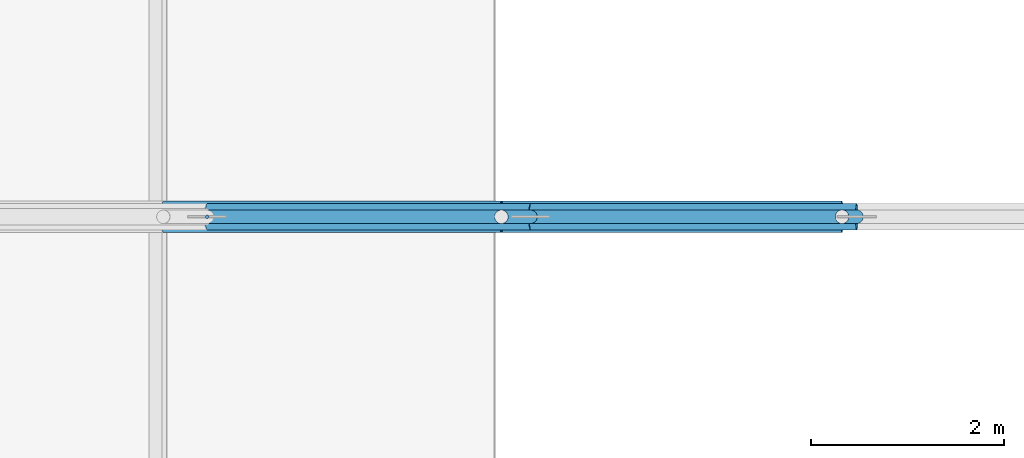
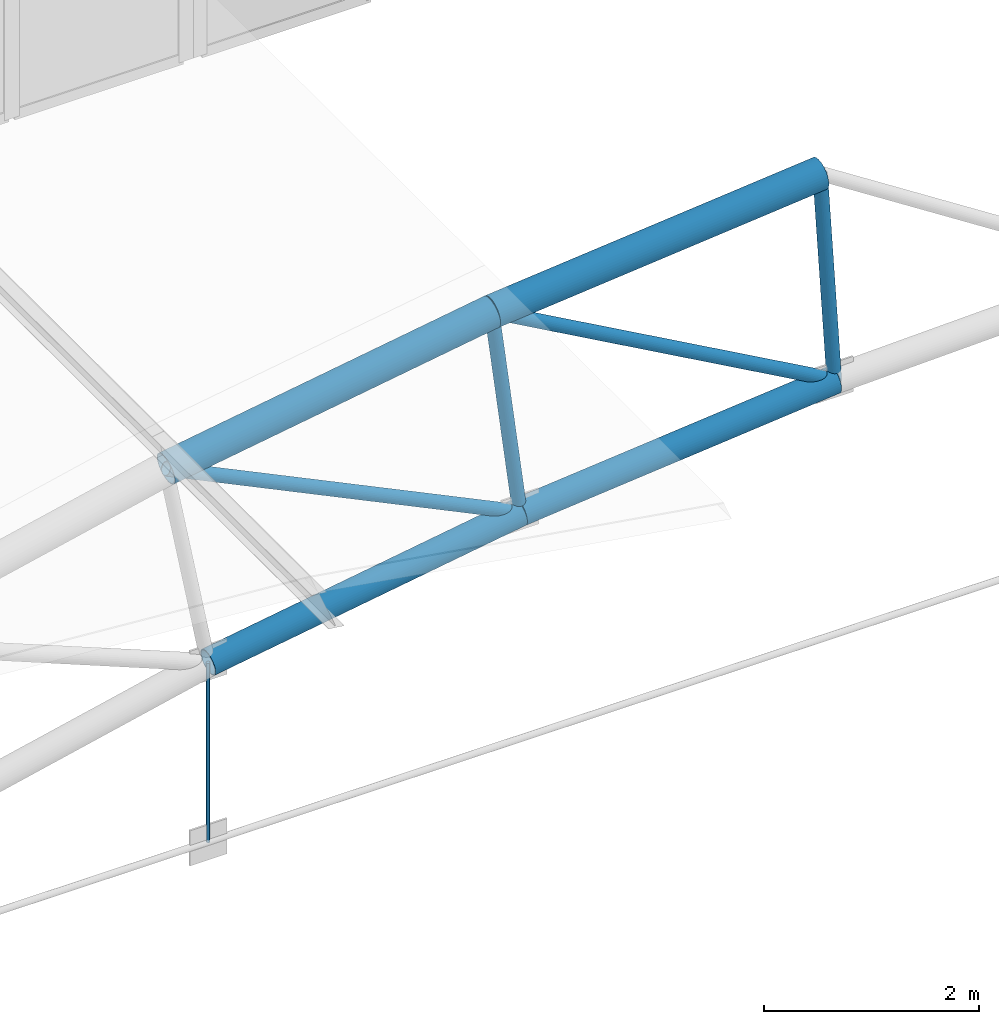
# One storey, part 133 of 321: 9 members.
"""IFC4 building model written with IfcOpenShell, lengths in metres."""

from ifc_helpers import new_model, si_unit, direction, frame, origin, origin_2d, place, context, subcontext, project, spatial, circle, hollow_circle, extrude, material, material_profile, profile_set, type_object, element, save


model = new_model("IFC4")

# Units and contexts
model_context = context("Model", 3, precision=1e-05, world=origin(), true_north=direction((0.0, 1.0)))
body_context = subcontext(model_context, "Body", "Model", "MODEL_VIEW")
ifc_project = project(units=[si_unit("LENGTHUNIT", "METRE"), si_unit("AREAUNIT", "SQUARE_METRE"), si_unit("VOLUMEUNIT", "CUBIC_METRE"), si_unit("PLANEANGLEUNIT", "RADIAN"), si_unit("MASSUNIT", "GRAM", prefix="KILO")], contexts=[model_context])

# Site, building, storey
site_placement = place(None, origin())
site = spatial("IfcSite", under=ifc_project, at=site_placement, CompositionType="ELEMENT")
building_placement = place(site_placement, origin())
building = spatial("IfcBuilding", under=site, at=building_placement, Name="Ravi Spectrum Wholesale Market", CompositionType="ELEMENT")
storey_placement = place(building_placement, frame((0.0, 0.0, 10.800048828125)))
storey = spatial("IfcBuildingStorey", under=building, at=storey_placement, Name="L02", CompositionType="ELEMENT", Elevation=10.800048828125)

# Members
ifc_material_1 = material(Name="Steel S355", Category="steel")
ifc_material_profile_1 = material_profile(ifc_material_1, hollow_circle(Radius=0.06982421875, WallThickness=0.0048828125, at=origin_2d()))
ifc_profile_set_1 = profile_set([ifc_material_profile_1], Name="Steel S355")
member_type_1 = type_object("IfcMemberType", Name="CHS 139.7x5 brace", PredefinedType="BRACE", material=ifc_profile_set_1)
for number, where, z_axis, x_axis, name in (
    (1, (163.434326171875, 114.0, 4.394775390625), (0.901638699511, 0.0, -0.432490064098), (0.0, 1.0, 0.0), "H2-MB-L02-213"),
    (2, (166.9326171875, 114.0, 4.952392578125), (0.872529716562, 0.0, -0.488561044001), (0.0, 1.0, 0.0), "H2-MB-L02-214"),
):
    element("IfcMember", number, at=place(storey_placement, frame(where, z_axis=z_axis, x_axis=x_axis)), inside=storey, type_object=member_type_1, Name=name, PredefinedType="BRACE", context=body_context, shape_type="SweptSolid", body=[
        extrude(hollow_circle(Radius=0.06982421875, WallThickness=0.0048828125, at=origin_2d()), origin(), (0.0, 0.0, 1.0), 4.215576171875),
    ])
ifc_material_2 = material(Name="Steel S355", Category="steel")
ifc_material_profile_2 = material_profile(ifc_material_2, hollow_circle(Radius=0.06982421875, WallThickness=0.0048828125, at=origin_2d()))
ifc_profile_set_2 = profile_set([ifc_material_profile_2], Name="Steel S355")
member_type_2 = type_object("IfcMemberType", Name="CHS 139.7x5 post", PredefinedType="POST", material=ifc_profile_set_2)
for number, where, z_axis, x_axis, name in (
    (3, (166.9326171875, 114.0, 4.952392578125), (0.126137795856, 0.0, -0.992012729987), (0.0, 1.0, 0.0), "H2-MB-L02-201"),
    (4, (170.459228515625, 114.0, 5.2880859375), (0.06316988397, 0.0, -0.998002788453), (0.0, 1.0, 0.0), "H2-MB-L02-202"),
):
    element("IfcMember", number, at=place(storey_placement, frame(where, z_axis=z_axis, x_axis=x_axis)), inside=storey, type_object=member_type_2, Name=name, PredefinedType="POST", context=body_context, shape_type="SweptSolid", body=[
        extrude(hollow_circle(Radius=0.06982421875, WallThickness=0.0048828125, at=origin_2d()), origin(), (0.0, 0.0, 1.0), 2.400146484375),
    ])
ifc_material_3 = material(Name="Steel S355", Category="steel")
ifc_material_profile_3 = material_profile(ifc_material_3, hollow_circle(Radius=0.136474609375, WallThickness=0.010009765625, at=origin_2d()))
ifc_profile_set_3 = profile_set([ifc_material_profile_3], Name="Steel S355")
member_type_3 = type_object("IfcMemberType", Name="CHS 273x10 chord", PredefinedType="CHORD", material=ifc_profile_set_3)
member_1_placement = place(storey_placement, frame((163.88671875, 114.0, 2.037841796875), z_axis=(0.98753659733, 0.0, 0.157389545185), x_axis=(0.0, 1.0, 0.0)))
element("IfcMember", 5, at=member_1_placement, inside=storey, type_object=member_type_3, Name="H2-MB-L02-187", PredefinedType="CHORD", context=body_context, shape_type="SweptSolid", body=[
    extrude(hollow_circle(Radius=0.136474609375, WallThickness=0.010009765625, at=origin_2d()), origin(), (0.0, 0.0, 1.0), 3.390869140625),
])
member_2_placement = place(storey_placement, frame((167.2353515625, 114.0, 2.571533203125), z_axis=(0.995500648787, 0.0, 0.094754726877), x_axis=(0.0, 1.0, 0.0)))
element("IfcMember", 6, at=member_2_placement, inside=storey, type_object=member_type_3, Name="H2-MB-L02-188", PredefinedType="CHORD", context=body_context, shape_type="SweptSolid", body=[
    extrude(hollow_circle(Radius=0.136474609375, WallThickness=0.010009765625, at=origin_2d()), origin(), (0.0, 0.0, 1.0), 3.390625),
])
ifc_material_4 = material(Name="Steel S355", Category="steel")
ifc_material_profile_4 = material_profile(ifc_material_4, hollow_circle(Radius=0.161865234375, WallThickness=0.010009765625, at=origin_2d()))
ifc_profile_set_4 = profile_set([ifc_material_profile_4], Name="Steel S355")
member_type_4 = type_object("IfcMemberType", Name="CHS 323.9x10 chord", PredefinedType="CHORD", material=ifc_profile_set_4)
for number, where, z_axis, x_axis, name in (
    (7, (163.434326171875, 114.0, 4.394775390625), (0.987533356072, 0.0, 0.157409881029), (0.0, 1.0, 0.0), "H2-MB-L02-173"),
    (8, (166.9326171875, 114.0, 4.952392578125), (0.995500117461, 0.0, 0.094760308862), (0.0, 1.0, 0.0), "H2-MB-L02-174"),
):
    element("IfcMember", number, at=place(storey_placement, frame(where, z_axis=z_axis, x_axis=x_axis)), inside=storey, type_object=member_type_4, Name=name, PredefinedType="CHORD", context=body_context, shape_type="SweptSolid", body=[
        extrude(hollow_circle(Radius=0.161865234375, WallThickness=0.010009765625, at=origin_2d()), origin(), (0.0, 0.0, 1.0), 3.54248046875),
    ])
ifc_material_5 = material(Name="Steel S355", Category="steel")
ifc_material_profile_5 = material_profile(ifc_material_5, circle(Radius=0.01806640625, at=origin_2d()))
ifc_profile_set_5 = profile_set([ifc_material_profile_5], Name="Steel S355")
member_type_5 = type_object("IfcMemberType", Name="ROD 36 hanger", PredefinedType="STRUT", material=ifc_profile_set_5)
member_3_placement = place(storey_placement, frame((163.88671875, 114.0, 0.0), z_axis=(0.0, 0.0, 1.0), x_axis=(1.0, 0.0, 0.0)))
element("IfcMember", 9, at=member_3_placement, inside=storey, type_object=member_type_5, Name="H2-MB-L02-223", PredefinedType="STRUT", context=body_context, shape_type="SweptSolid", body=[
    extrude(circle(Radius=0.01806640625, at=origin_2d()), origin(), (0.0, 0.0, 1.0), 2.037841796875),
])

save(model, "model.ifc")
